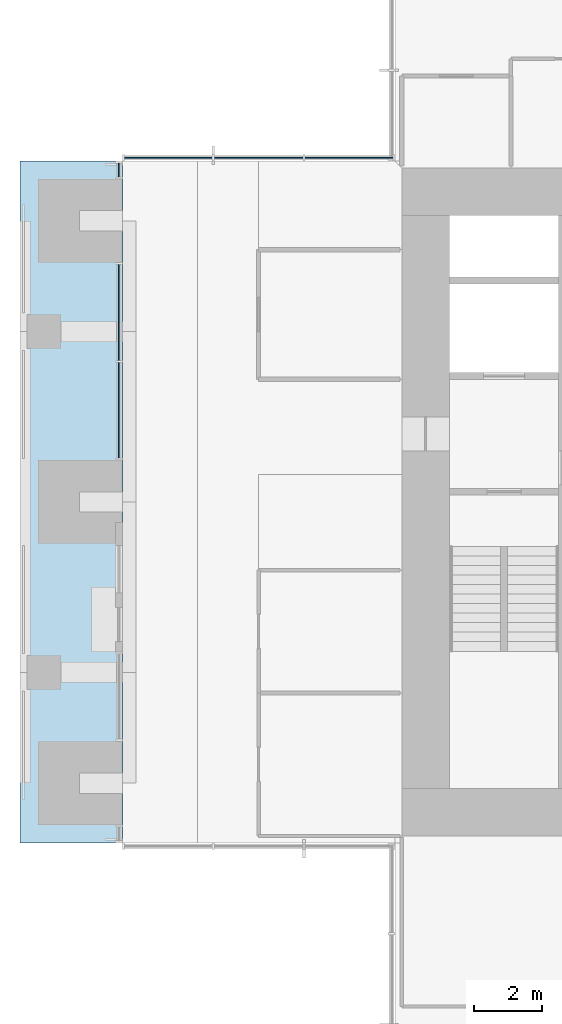
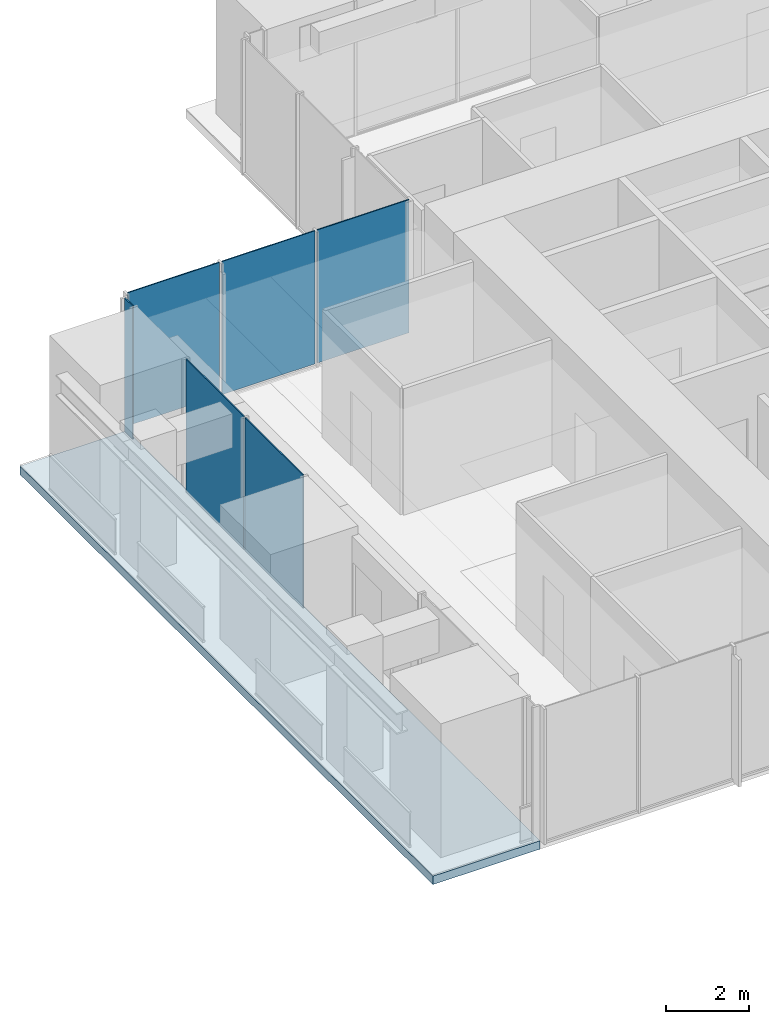
# One storey, part 8 of 17: 6 plates, 1 slab, 3 elements without a shape of their own.
"""IFC4 building model written with IfcOpenShell, lengths in metres."""

from ifc_helpers import new_model, si_unit, direction, frame, origin, origin_2d, place, context, subcontext, project, spatial, polyline, rectangle, outline, extrude, material, layer, layer_set, type_object, element, aggregate, save


model = new_model("IFC4")

# Units and contexts
model_context = context("Model", 3, precision=1e-05, world=origin(), true_north=direction((0.0, 1.0)))
body_context = subcontext(model_context, "Body", "Model", "MODEL_VIEW")
ifc_project = project(units=[si_unit("LENGTHUNIT", "METRE"), si_unit("AREAUNIT", "SQUARE_METRE"), si_unit("VOLUMEUNIT", "CUBIC_METRE"), si_unit("PLANEANGLEUNIT", "RADIAN"), si_unit("MASSUNIT", "GRAM", prefix="KILO")], contexts=[model_context])

# Site, building, storey
site_placement = place(None, origin())
site = spatial("IfcSite", under=ifc_project, at=site_placement, CompositionType="ELEMENT")
building_placement = place(site_placement, origin())
building = spatial("IfcBuilding", under=site, at=building_placement, Name="Svetlomir Tower", CompositionType="ELEMENT")
storey_placement = place(building_placement, frame((0.0, 0.0, 178.5)))
storey = spatial("IfcBuildingStorey", under=building, at=storey_placement, Name="L42", CompositionType="ELEMENT", Elevation=178.5)

# Curtain wall, plates
ifc_material_1 = material(Name="Bronze anodised aluminium curtain wall", Category="aluminium")
curtain_wall_type = type_object("IfcCurtainWallType", Name="CURTAIN WALL CW1 TOWER OFFICE", PredefinedType="NOTDEFINED", material=ifc_material_1)
curtain_wall_1_placement = place(storey_placement, origin())
curtain_wall_1 = element("IfcCurtainWall", 1, at=curtain_wall_1_placement, inside=storey, type_object=curtain_wall_type, Name="Curtain wall CW1 L42", PredefinedType="NOTDEFINED")
ifc_material_2 = material(Name="Tinted double glazed unit", Category="glass")
ifc_layer_1 = layer(ifc_material_2, 0.031982421875)
ifc_layer_set_1 = layer_set([ifc_layer_1], Name="Tinted double glazed unit")
plate_type = type_object("IfcPlateType", Name="CW1 GLAZED PANEL 32", PredefinedType="CURTAIN_PANEL", material=ifc_layer_set_1)
plate_1_placement = place(storey_placement, frame((9.650390625, 31.10009765625, 0.06494140625), z_axis=(0.0, 0.0, 1.0), x_axis=(-1.0, 0.0, 0.0)))
plate_1 = element("IfcPlate", 2, at=plate_1_placement, type_object=plate_type, Name="CW1 panel 1.1", PredefinedType="CURTAIN_PANEL", context=body_context, shape_type="SweptSolid", body=[
    extrude(rectangle(XDim=2.569091796875, YDim=0.031982421875, at=origin_2d()), origin(), (0.0, 0.0, 1.0), 3.93505859375),
])
plate_2_placement = place(storey_placement, frame((7.0, 31.10009765625, 0.06494140625), z_axis=(0.0, 0.0, 1.0), x_axis=(-1.0, 0.0, 0.0)))
plate_2 = element("IfcPlate", 3, at=plate_2_placement, type_object=plate_type, Name="CW1 panel 2.1", PredefinedType="CURTAIN_PANEL", context=body_context, shape_type="SweptSolid", body=[
    extrude(rectangle(XDim=2.6015625, YDim=0.031982421875, at=origin_2d()), origin(), (0.0, 0.0, 1.0), 3.93505859375),
])
plate_3_placement = place(storey_placement, frame((4.349609375, 31.10009765625, 0.06494140625), z_axis=(0.0, 0.0, 1.0), x_axis=(-1.0, 0.0, 0.0)))
plate_3 = element("IfcPlate", 4, at=plate_3_placement, type_object=plate_type, Name="CW1 panel 3.1", PredefinedType="CURTAIN_PANEL", context=body_context, shape_type="SweptSolid", body=[
    extrude(rectangle(XDim=2.569091796875, YDim=0.031982421875, at=origin_2d()), origin(), (0.0, 0.0, 1.0), 3.93505859375),
])
aggregate(curtain_wall_1, [plate_1, plate_2, plate_3])

# Curtain wall, plate
curtain_wall_2_placement = place(storey_placement, origin())
curtain_wall_2 = element("IfcCurtainWall", 5, at=curtain_wall_2_placement, inside=storey, type_object=curtain_wall_type, Name="Curtain wall CW1 L42", PredefinedType="NOTDEFINED")
plate_4_placement = place(storey_placement, frame((2.89990234375, 30.737548828125, 0.06494140625), z_axis=(0.0, 0.0, 1.0), x_axis=(0.0, -1.0, 0.0)))
plate_4 = element("IfcPlate", 6, at=plate_4_placement, type_object=plate_type, Name="CW1 panel 1.1", PredefinedType="CURTAIN_PANEL", context=body_context, shape_type="SweptSolid", body=[
    extrude(rectangle(XDim=0.39501953125, YDim=0.031982421875, at=origin_2d()), origin(), (0.0, 0.0, 1.0), 3.93505859375),
])
aggregate(curtain_wall_2, [plate_4])

# Curtain wall, plates
curtain_wall_3_placement = place(storey_placement, origin())
curtain_wall_3 = element("IfcCurtainWall", 7, at=curtain_wall_3_placement, inside=storey, type_object=curtain_wall_type, Name="Curtain wall CW1 L42", PredefinedType="NOTDEFINED")
plate_5_placement = place(storey_placement, frame((2.89990234375, 26.558837890625, 0.06494140625), z_axis=(0.0, 0.0, 1.0), x_axis=(0.0, -1.0, 0.0)))
plate_5 = element("IfcPlate", 8, at=plate_5_placement, type_object=plate_type, Name="CW1 panel 1.1", PredefinedType="CURTAIN_PANEL", context=body_context, shape_type="SweptSolid", body=[
    extrude(rectangle(XDim=2.802490234375, YDim=0.031982421875, at=origin_2d()), origin(), (0.0, 0.0, 1.0), 3.93505859375),
])
plate_6_placement = place(storey_placement, frame((2.89990234375, 23.691162109375, 0.06494140625), z_axis=(0.0, 0.0, 1.0), x_axis=(0.0, -1.0, 0.0)))
plate_6 = element("IfcPlate", 9, at=plate_6_placement, type_object=plate_type, Name="CW1 panel 2.1", PredefinedType="CURTAIN_PANEL", context=body_context, shape_type="SweptSolid", body=[
    extrude(rectangle(XDim=2.802490234375, YDim=0.031982421875, at=origin_2d()), origin(), (0.0, 0.0, 1.0), 3.93505859375),
])
aggregate(curtain_wall_3, [plate_5, plate_6])

# Slab
ifc_material_3 = material(Name="Concrete C60/75", Category="concrete")
ifc_layer_2 = layer(ifc_material_3, 0.25)
ifc_layer_set_2 = layer_set([ifc_layer_2], Name="Concrete C60/75")
slab_type = type_object("IfcSlabType", Name="PLANTED LOGGIA SLAB 250", PredefinedType="FLOOR", material=ifc_layer_set_2)
slab_placement = place(storey_placement, frame((0.0, 0.0, -0.25)))
element("IfcSlab", 10, at=slab_placement, inside=storey, type_object=slab_type, Name="L42 W planted loggia", PredefinedType="FLOOR", context=body_context, shape_type="SweptSolid", body=[
    extrude(outline(polyline([(0.0, 11.0), (3.0, 11.0), (3.0, 31.0), (0.0, 31.0), (0.0, 11.0)])), origin(), (0.0, 0.0, 1.0), 0.25),
])

save(model, "model.ifc")
